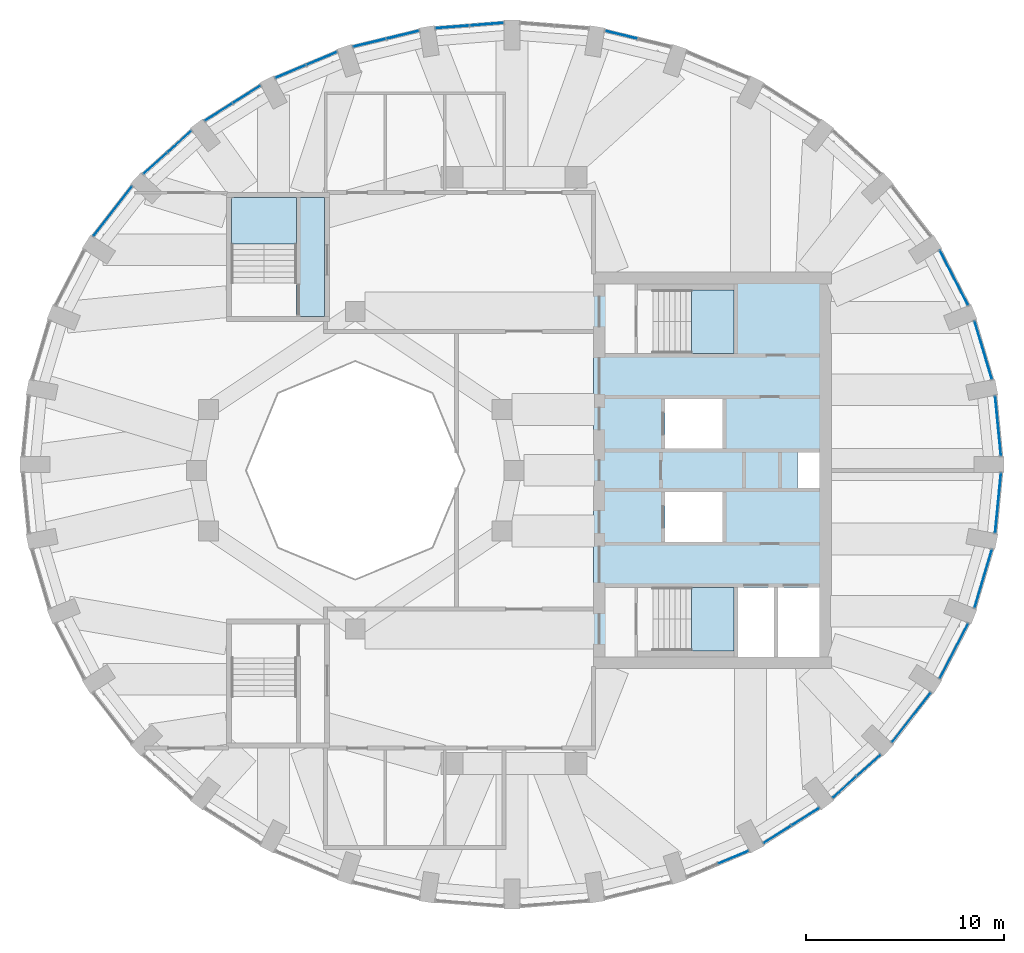
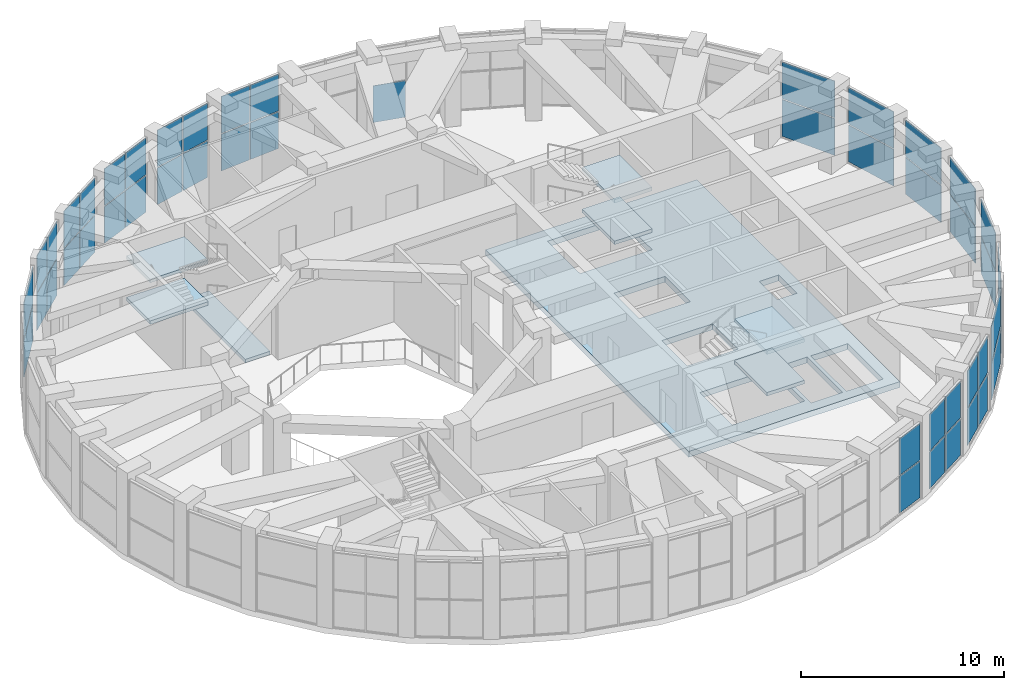
# One storey, part 11 of 16: 47 plates, 8 slabs, 20 elements without a shape of their own.
"""IFC4 building model written with IfcOpenShell, lengths in metres."""

import ifcopenshell
import ifcopenshell.guid

model = None  # the IFC model being written
_history = None  # IfcOwnerHistory: only IFC2X3 demands one
_inside = {}  # id of a spatial element -> (the spatial element, [elements in it])
_under = {}  # id of a project, library or spatial element -> (it, [spatial elements below it])
_declared = {}  # id of a project -> (the project, [libraries it declares])
_typed = {}  # id of a type object -> (the type object, [elements of that type])
_made_of = {}  # id of a material, layer set ... -> (it, [elements and type objects made of it])


def new_model(schema):
    """Start an empty IFC model of exactly this schema.

    Asked for "IFC4X3", IfcOpenShell would pick the latest addendum, in which some entities
    have other attributes; the version numbers below select the first issue.
    IFC2X3 requires an IfcOwnerHistory on every rooted entity: one is made here for all.
    """
    global model, _history
    if schema == "IFC4X3":
        model = ifcopenshell.file(schema_version=(4, 3, 0, 0))
    else:
        model = ifcopenshell.file(schema=schema)
    _inside.clear()
    _under.clear()
    _declared.clear()
    _typed.clear()
    _made_of.clear()
    _history = None
    if model.schema == "IFC2X3":
        org = make("IfcOrganization", Name="unknown")
        user = make(
            "IfcPersonAndOrganization",
            ThePerson=make("IfcPerson", FamilyName="unknown"),
            TheOrganization=org,
        )
        app = make(
            "IfcApplication",
            ApplicationDeveloper=org,
            Version="unknown",
            ApplicationFullName="unknown",
            ApplicationIdentifier="unknown",
        )
        _history = make(
            "IfcOwnerHistory",
            OwningUser=user,
            OwningApplication=app,
            ChangeAction="ADDED",
            CreationDate=0,
        )
    return model


def make(cls, **values):
    """One entity of the class cls with the attributes given. An attribute that is None is left unset."""
    return model.create_entity(
        cls, **{name: value for name, value in values.items() if value is not None}
    )


def rooted(cls, **values):
    """An entity with a GlobalId (a new one), such as an element, a storey or a relation."""
    return make(cls, GlobalId=ifcopenshell.guid.new(), OwnerHistory=_history, **values)


def si_unit(unit_type, name, prefix=None):
    """IfcSIUnit, for example si_unit("LENGTHUNIT", "METRE", prefix="MILLI")."""
    return make("IfcSIUnit", UnitType=unit_type, Prefix=prefix, Name=name)


def assignment(units):
    """IfcUnitAssignment: the units of a project."""
    return None if units is None else make("IfcUnitAssignment", Units=units)


def point(xyz):
    """IfcCartesianPoint."""
    return None if xyz is None else make("IfcCartesianPoint", Coordinates=xyz)


def direction(xyz):
    """IfcDirection."""
    return None if xyz is None else make("IfcDirection", DirectionRatios=xyz)


def frame(location, z_axis=None, x_axis=None):
    """IfcAxis2Placement3D, a coordinate frame: its origin and axes. An axis left out is left unset."""
    return make(
        "IfcAxis2Placement3D",
        Location=point(location),
        Axis=direction(z_axis),
        RefDirection=direction(x_axis),
    )


def frame_2d(location, x_axis=None):
    """IfcAxis2Placement2D, a coordinate frame in the plane: its origin and x axis."""
    return make(
        "IfcAxis2Placement2D", Location=point(location), RefDirection=direction(x_axis)
    )


def origin():
    """The frame at (0, 0, 0) with its axes left unset."""
    return frame((0.0, 0.0, 0.0))


def origin_2d():
    """The frame at (0, 0) in the plane with its x axis left unset."""
    return frame_2d((0.0, 0.0))


def place(relative_to, where):
    """IfcLocalPlacement: puts the frame where relative to a parent placement (None: the world)."""
    return make(
        "IfcLocalPlacement", PlacementRelTo=relative_to, RelativePlacement=where
    )


def context(
    kind, dimensions, precision=None, world=None, true_north=None, identifier=None
):
    """IfcGeometricRepresentationContext, for example the 3D "Model" context."""
    return make(
        "IfcGeometricRepresentationContext",
        ContextIdentifier=identifier,
        ContextType=kind,
        CoordinateSpaceDimension=dimensions,
        Precision=precision,
        WorldCoordinateSystem=world,
        TrueNorth=true_north,
    )


def subcontext(parent, identifier, kind, view, scale=None):
    """IfcGeometricRepresentationSubContext, for example "Body" below "Model"."""
    return make(
        "IfcGeometricRepresentationSubContext",
        ContextIdentifier=identifier,
        ContextType=kind,
        ParentContext=parent,
        TargetScale=scale,
        TargetView=view,
    )


def project(units=None, contexts=None):
    """IfcProject with its units and contexts."""
    return rooted(
        "IfcProject",
        Name="project",
        RepresentationContexts=contexts,
        UnitsInContext=assignment(units),
    )


def spatial(cls, under=None, at=None, **own):
    """A site, building, storey or space (cls), placed at a placement, below another one or the project."""
    s = rooted(cls, ObjectPlacement=at, **own)
    if under is not None:
        _under.setdefault(under.id(), (under, []))[1].append(s)
    return s


def polyline(points):
    """IfcPolyline through the points."""
    return make("IfcPolyline", Points=[point(p) for p in points])


def profile(cls, at=None, kind="AREA", **sizes):
    """A parametric profile (cls). Its sizes go by their IFC names, for example OverallWidth=200.0."""
    return make(cls, ProfileType=kind, Position=at, **sizes)


def rectangle(**sizes):
    """IfcRectangleProfileDef."""
    return profile("IfcRectangleProfileDef", **sizes)


def outline(outer, holes=None, kind="AREA"):
    """IfcArbitraryClosedProfileDef: a profile drawn as a closed curve; with holes, ...WithVoids."""
    if holes is None:
        return make("IfcArbitraryClosedProfileDef", ProfileType=kind, OuterCurve=outer)
    return make(
        "IfcArbitraryProfileDefWithVoids",
        ProfileType=kind,
        OuterCurve=outer,
        InnerCurves=holes,
    )


def extrude(swept, where, along, depth):
    """IfcExtrudedAreaSolid: the profile swept, set in the frame where, extruded along a direction by depth."""
    return make(
        "IfcExtrudedAreaSolid",
        SweptArea=swept,
        Position=where,
        ExtrudedDirection=direction(along),
        Depth=depth,
    )


def shape(context_of_items, identifier, shape_type, items):
    """IfcShapeRepresentation: the items that make up one representation, for example the "Body"."""
    return make(
        "IfcShapeRepresentation",
        ContextOfItems=context_of_items,
        RepresentationIdentifier=identifier,
        RepresentationType=shape_type,
        Items=items,
    )


def material(Name=None, Category=None):
    """IfcMaterial."""
    return make("IfcMaterial", Name=Name, Category=Category)


def layer(
    of_material, thickness, ventilated=None, Name=None, Category=None, Priority=None
):
    """IfcMaterialLayer: one layer of a wall or slab, of a material (None: an air gap)."""
    return make(
        "IfcMaterialLayer",
        Material=of_material,
        LayerThickness=thickness,
        IsVentilated=ventilated,
        Name=Name,
        Category=Category,
        Priority=Priority,
    )


def layer_set(layers, Name=None):
    """IfcMaterialLayerSet."""
    return make("IfcMaterialLayerSet", MaterialLayers=layers, LayerSetName=Name)


def made_of(thing, what):
    """Note that an element or type object is made of a material, layer set ...; save() writes the relation."""
    if what is not None:
        _made_of.setdefault(what.id(), (what, []))[1].append(thing)
    return thing


def type_object(cls, material=None, **own):
    """A type object (cls), such as IfcWallType, which elements share."""
    return made_of(rooted(cls, **own), material)


def element(
    cls,
    number,
    at=None,
    inside=None,
    cuts=None,
    type_object=None,
    material=None,
    context=None,
    identifier="Body",
    shape_type=None,
    held_by="IfcProductDefinitionShape",
    body=None,
    shapes=None,
    **own,
):
    """One element of the class cls, such as IfcWall. Its Tag is "e" and its number.

    at: its placement. inside: the storey or other place that contains it. cuts: it is an
    opening in that element (IfcRelVoidsElement). A single representation is given by context,
    identifier, shape_type and body (its items); several are given by shapes. held_by: the class
    of the entity that holds the representations. save() writes the other relations.
    """
    e = rooted(cls, Tag="e%d" % number, ObjectPlacement=at, **own)
    if body is not None:
        shapes = [shape(context, identifier, shape_type, body)]
    if shapes is not None:
        e.Representation = make(held_by, Representations=shapes)
    if inside is not None:
        _inside.setdefault(inside.id(), (inside, []))[1].append(e)
    if cuts is not None:
        rooted(
            "IfcRelVoidsElement", RelatingBuildingElement=cuts, RelatedOpeningElement=e
        )
    if type_object is not None:
        _typed.setdefault(type_object.id(), (type_object, []))[1].append(e)
    return made_of(e, material)


def aggregate(whole, parts):
    """IfcRelAggregates: a whole, such as a stair, and the parts it consists of."""
    return rooted("IfcRelAggregates", RelatingObject=whole, RelatedObjects=parts)


def save(model, path):
    """Write the relations noted so far, then the file.

    IfcRelAggregates (storeys below a building ...), IfcRelContainedInSpatialStructure (elements
    in a storey), IfcRelDefinesByType, IfcRelAssociatesMaterial and IfcRelDeclares: one each for
    every whole, place, type object, material and project.
    """
    for whole, parts in _under.values():
        aggregate(whole, parts)
    for where, things in _inside.values():
        rooted(
            "IfcRelContainedInSpatialStructure",
            RelatedElements=things,
            RelatingStructure=where,
        )
    for kind, things in _typed.values():
        rooted("IfcRelDefinesByType", RelatedObjects=things, RelatingType=kind)
    for what, things in _made_of.values():
        rooted("IfcRelAssociatesMaterial", RelatedObjects=things, RelatingMaterial=what)
    for by, libraries in _declared.values():
        rooted("IfcRelDeclares", RelatingContext=by, RelatedDefinitions=libraries)
    model.write(path)


model = new_model("IFC4")

# Units and contexts
model_context = context("Model", 3, precision=1e-05, world=origin(), true_north=direction((0.0, 1.0)))
body_context = subcontext(model_context, "Body", "Model", "MODEL_VIEW")
ifc_project = project(units=[si_unit("LENGTHUNIT", "METRE"), si_unit("AREAUNIT", "SQUARE_METRE"), si_unit("VOLUMEUNIT", "CUBIC_METRE"), si_unit("PLANEANGLEUNIT", "RADIAN"), si_unit("MASSUNIT", "GRAM", prefix="KILO")], contexts=[model_context])

# Site, building, storey
site_placement = place(None, origin())
site = spatial("IfcSite", under=ifc_project, at=site_placement, CompositionType="ELEMENT")
building_placement = place(site_placement, origin())
building = spatial("IfcBuilding", under=site, at=building_placement, Name="Taillehof Tower", CompositionType="ELEMENT")
storey_placement = place(building_placement, frame((0.0, 0.0, 264.199951171875)))
storey = spatial("IfcBuildingStorey", under=building, at=storey_placement, Name="L75", CompositionType="ELEMENT", Elevation=264.199951171875)

# Slab
ifc_material_1 = material(Name="Concrete C40/50", Category="concrete")
ifc_layer_1 = layer(ifc_material_1, 0.35009765625)
ifc_layer_set_1 = layer_set([ifc_layer_1], Name="Core floor slab C40/50 350")
slab_type_1 = type_object("IfcSlabType", Name="Core floor slab C40/50 350", PredefinedType="FLOOR", material=ifc_layer_set_1)
slab_1_placement = place(storey_placement, frame((0.0, 0.0, -0.349853515625)))
element("IfcSlab", 1, at=slab_1_placement, inside=storey, type_object=slab_type_1, Name="Core floor L75", PredefinedType="FLOOR", context=body_context, shape_type="SweptSolid", body=[
    extrude(outline(polyline([(4.0, -10.0), (4.0, 10.0), (16.0, 10.0), (16.0, -10.0), (4.0, -10.0)]), holes=[polyline([(11.300048828125, -5.89990234375), (11.300048828125, -9.39990234375), (13.10009765625, -9.39990234375), (13.10009765625, -5.89990234375), (11.300048828125, -5.89990234375)]), polyline([(15.39990234375, -5.89990234375), (13.300048828125, -5.89990234375), (13.300048828125, -9.39990234375), (15.39990234375, -9.39990234375), (15.39990234375, -5.89990234375)]), polyline([(11.10009765625, -9.10009765625), (11.10009765625, -5.89990234375), (7.00048828125, -5.89990234375), (7.00048828125, -9.10009765625), (11.10009765625, -9.10009765625)]), polyline([(10.5, -1.10009765625), (7.60009765625, -1.10009765625), (7.60009765625, -3.60009765625), (10.5, -3.60009765625), (10.5, -1.10009765625)]), polyline([(15.39990234375, 0.89990234375), (14.300048828125, 0.89990234375), (14.300048828125, -0.89990234375), (15.39990234375, -0.89990234375), (15.39990234375, 0.89990234375)]), polyline([(10.5, 3.60009765625), (7.60009765625, 3.60009765625), (7.60009765625, 1.10009765625), (10.5, 1.10009765625), (10.5, 3.60009765625)]), polyline([(11.10009765625, 9.10009765625), (7.00048828125, 9.10009765625), (7.00048828125, 5.89990234375), (11.10009765625, 5.89990234375), (11.10009765625, 9.10009765625)])]), origin(), (0.0, 0.0, 1.0), 0.349853515625),
])

# Curtain wall, plates
ifc_material_2 = material(Name="Aluminium curtain wall with Clear laminated safety glass", Category="aluminium")
curtain_wall_type = type_object("IfcCurtainWallType", Name="Sky restaurant curtain wall", PredefinedType="USERDEFINED", material=ifc_material_2)
curtain_wall_1_placement = place(storey_placement, origin())
curtain_wall_1 = element("IfcCurtainWall", 2, at=curtain_wall_1_placement, inside=storey, type_object=curtain_wall_type, Name="Sky restaurant L75 bay 1", ObjectType="WINDOW WALL", PredefinedType="USERDEFINED")
ifc_material_3 = material(Name="Clear laminated safety glass", Category="glass")
ifc_layer_2 = layer(ifc_material_3, 0.031982421875)
ifc_layer_set_2 = layer_set([ifc_layer_2], Name="Sky restaurant glass panel 32")
plate_type = type_object("IfcPlateType", Name="Sky restaurant glass panel 32", PredefinedType="CURTAIN_PANEL", material=ifc_layer_set_2)
plate_1_placement = place(storey_placement, frame((24.40087890625, 2.240966796875, 0.06005859375), z_axis=(0.0, 0.0, 1.0), x_axis=(-0.0967136211, 0.995312250248, 0.0)))
plate_1 = element("IfcPlate", 3, at=plate_1_placement, type_object=plate_type, Name="CT5E01 panel 1.1", PredefinedType="CURTAIN_PANEL", context=body_context, shape_type="SweptSolid", body=[
    extrude(rectangle(XDim=3.0166015625, YDim=0.031982421875, at=origin_2d()), origin(), (0.0, 0.0, 1.0), 2.205078125),
])
plate_2_placement = place(storey_placement, frame((24.40087890625, 2.240966796875, 2.324951171875), z_axis=(0.0, 0.0, 1.0), x_axis=(-0.0967136211, 0.995312250248, 0.0)))
plate_2 = element("IfcPlate", 4, at=plate_2_placement, type_object=plate_type, Name="CT5E01 panel 1.2", PredefinedType="CURTAIN_PANEL", context=body_context, shape_type="SweptSolid", body=[
    extrude(rectangle(XDim=3.0166015625, YDim=0.031982421875, at=origin_2d()), origin(), (0.0, 0.0, 1.0), 2.205078125),
])
aggregate(curtain_wall_1, [plate_1, plate_2])

curtain_wall_2_placement = place(storey_placement, origin())
curtain_wall_2 = element("IfcCurtainWall", 5, at=curtain_wall_2_placement, inside=storey, type_object=curtain_wall_type, Name="Sky restaurant L75 bay 2", ObjectType="WINDOW WALL", PredefinedType="USERDEFINED")
plate_3_placement = place(storey_placement, frame((23.652587890625, 6.06298828125, 0.06005859375), z_axis=(0.0, 0.0, 1.0), x_axis=(-0.285235558707, 0.958457446134, 0.0)))
plate_3 = element("IfcPlate", 6, at=plate_3_placement, type_object=plate_type, Name="CT5E02 panel 1.1", PredefinedType="CURTAIN_PANEL", context=body_context, shape_type="SweptSolid", body=[
    extrude(rectangle(XDim=3.041259765625, YDim=0.031982421875, at=origin_2d()), origin(), (0.0, 0.0, 1.0), 2.205078125),
])
plate_4_placement = place(storey_placement, frame((23.652587890625, 6.06298828125, 2.324951171875), z_axis=(0.0, 0.0, 1.0), x_axis=(-0.285235558707, 0.958457446134, 0.0)))
plate_4 = element("IfcPlate", 7, at=plate_4_placement, type_object=plate_type, Name="CT5E02 panel 1.2", PredefinedType="CURTAIN_PANEL", context=body_context, shape_type="SweptSolid", body=[
    extrude(rectangle(XDim=3.041259765625, YDim=0.031982421875, at=origin_2d()), origin(), (0.0, 0.0, 1.0), 2.205078125),
])
aggregate(curtain_wall_2, [plate_3, plate_4])

curtain_wall_3_placement = place(storey_placement, origin())
curtain_wall_3 = element("IfcCurtainWall", 8, at=curtain_wall_3_placement, inside=storey, type_object=curtain_wall_type, Name="Sky restaurant L75 bay 3", ObjectType="WINDOW WALL", PredefinedType="USERDEFINED")
plate_5_placement = place(storey_placement, frame((22.1796875, 9.706787109375, 0.06005859375), z_axis=(0.0, 0.0, 1.0), x_axis=(-0.459891218474, 0.887975262702, 0.0)))
plate_5 = element("IfcPlate", 9, at=plate_5_placement, type_object=plate_type, Name="CT5E03 panel 1.1", PredefinedType="CURTAIN_PANEL", context=body_context, shape_type="SweptSolid", body=[
    extrude(rectangle(XDim=3.0869140625, YDim=0.031982421875, at=origin_2d()), origin(), (0.0, 0.0, 1.0), 2.205078125),
])
plate_6_placement = place(storey_placement, frame((22.1796875, 9.706787109375, 2.324951171875), z_axis=(0.0, 0.0, 1.0), x_axis=(-0.459891218474, 0.887975262702, 0.0)))
plate_6 = element("IfcPlate", 10, at=plate_6_placement, type_object=plate_type, Name="CT5E03 panel 1.2", PredefinedType="CURTAIN_PANEL", context=body_context, shape_type="SweptSolid", body=[
    extrude(rectangle(XDim=3.0869140625, YDim=0.031982421875, at=origin_2d()), origin(), (0.0, 0.0, 1.0), 2.205078125),
])
aggregate(curtain_wall_3, [plate_5, plate_6])

# Curtain wall, plate
curtain_wall_4_placement = place(storey_placement, origin())
curtain_wall_4 = element("IfcCurtainWall", 11, at=curtain_wall_4_placement, inside=storey, type_object=curtain_wall_type, Name="Sky restaurant L75 bay 8", ObjectType="WINDOW WALL", PredefinedType="USERDEFINED")
plate_7_placement = place(storey_placement, frame((5.413818359375, 21.954345703125, 0.06005859375), z_axis=(0.0, 0.0, 1.0), x_axis=(-0.972112616855, 0.234514520129, 0.0)))
plate_7 = element("IfcPlate", 12, at=plate_7_placement, type_object=plate_type, Name="CT5E08 panel 2.1", PredefinedType="CURTAIN_PANEL", context=body_context, shape_type="SweptSolid", body=[
    extrude(rectangle(XDim=1.66259765625, YDim=0.031982421875, at=origin_2d()), origin(), (0.0, 0.0, 1.0), 2.205078125),
])
aggregate(curtain_wall_4, [plate_7])

# Curtain wall, plates
curtain_wall_5_placement = place(storey_placement, origin())
curtain_wall_5 = element("IfcCurtainWall", 13, at=curtain_wall_5_placement, inside=storey, type_object=curtain_wall_type, Name="Sky restaurant L75 bay 10", ObjectType="WINDOW WALL", PredefinedType="USERDEFINED")
plate_8_placement = place(storey_placement, frame((-1.374267578125, 22.4892578125, 0.06005859375), z_axis=(0.0, 0.0, 1.0), x_axis=(-0.996912140109, -0.078525059075, 0.0)))
plate_8 = element("IfcPlate", 14, at=plate_8_placement, type_object=plate_type, Name="CT5E10 panel 1.1", PredefinedType="CURTAIN_PANEL", context=body_context, shape_type="SweptSolid", body=[
    extrude(rectangle(XDim=1.673828125, YDim=0.031982421875, at=origin_2d()), origin(), (0.0, 0.0, 1.0), 2.205078125),
])
plate_9_placement = place(storey_placement, frame((-1.374267578125, 22.4892578125, 2.324951171875), z_axis=(0.0, 0.0, 1.0), x_axis=(-0.996912140109, -0.078525059075, 0.0)))
plate_9 = element("IfcPlate", 15, at=plate_9_placement, type_object=plate_type, Name="CT5E10 panel 1.2", PredefinedType="CURTAIN_PANEL", context=body_context, shape_type="SweptSolid", body=[
    extrude(rectangle(XDim=1.673828125, YDim=0.031982421875, at=origin_2d()), origin(), (0.0, 0.0, 1.0), 2.205078125),
])
plate_10_placement = place(storey_placement, frame((-3.1025390625, 22.35302734375, 0.06005859375), z_axis=(0.0, 0.0, 1.0), x_axis=(-0.996912140109, -0.078525059075, 0.0)))
plate_10 = element("IfcPlate", 16, at=plate_10_placement, type_object=plate_type, Name="CT5E10 panel 2.1", PredefinedType="CURTAIN_PANEL", context=body_context, shape_type="SweptSolid", body=[
    extrude(rectangle(XDim=1.673828125, YDim=0.031982421875, at=origin_2d()), origin(), (0.0, 0.0, 1.0), 2.205078125),
])
plate_11_placement = place(storey_placement, frame((-3.1025390625, 22.35302734375, 2.324951171875), z_axis=(0.0, 0.0, 1.0), x_axis=(-0.996912140109, -0.078525059075, 0.0)))
plate_11 = element("IfcPlate", 17, at=plate_11_placement, type_object=plate_type, Name="CT5E10 panel 2.2", PredefinedType="CURTAIN_PANEL", context=body_context, shape_type="SweptSolid", body=[
    extrude(rectangle(XDim=1.673828125, YDim=0.031982421875, at=origin_2d()), origin(), (0.0, 0.0, 1.0), 2.205078125),
])
aggregate(curtain_wall_5, [plate_8, plate_9, plate_10, plate_11])

curtain_wall_6_placement = place(storey_placement, origin())
curtain_wall_6 = element("IfcCurtainWall", 18, at=curtain_wall_6_placement, inside=storey, type_object=curtain_wall_type, Name="Sky restaurant L75 bay 11", ObjectType="WINDOW WALL", PredefinedType="USERDEFINED")
plate_12_placement = place(storey_placement, frame((-5.61376953125, 21.954345703125, 0.06005859375), z_axis=(0.0, 0.0, 1.0), x_axis=(-0.972112616855, -0.234514520129, 0.0)))
plate_12 = element("IfcPlate", 19, at=plate_12_placement, type_object=plate_type, Name="CT5E11 panel 1.1", PredefinedType="CURTAIN_PANEL", context=body_context, shape_type="SweptSolid", body=[
    extrude(rectangle(XDim=1.66259765625, YDim=0.031982421875, at=origin_2d()), origin(), (0.0, 0.0, 1.0), 2.205078125),
])
plate_13_placement = place(storey_placement, frame((-5.61376953125, 21.954345703125, 2.324951171875), z_axis=(0.0, 0.0, 1.0), x_axis=(-0.972112616855, -0.234514520129, 0.0)))
plate_13 = element("IfcPlate", 20, at=plate_13_placement, type_object=plate_type, Name="CT5E11 panel 1.2", PredefinedType="CURTAIN_PANEL", context=body_context, shape_type="SweptSolid", body=[
    extrude(rectangle(XDim=1.66259765625, YDim=0.031982421875, at=origin_2d()), origin(), (0.0, 0.0, 1.0), 2.205078125),
])
plate_14_placement = place(storey_placement, frame((-7.288330078125, 21.550537109375, 0.06005859375), z_axis=(0.0, 0.0, 1.0), x_axis=(-0.972112616855, -0.234514520129, 0.0)))
plate_14 = element("IfcPlate", 21, at=plate_14_placement, type_object=plate_type, Name="CT5E11 panel 2.1", PredefinedType="CURTAIN_PANEL", context=body_context, shape_type="SweptSolid", body=[
    extrude(rectangle(XDim=1.66259765625, YDim=0.031982421875, at=origin_2d()), origin(), (0.0, 0.0, 1.0), 2.205078125),
])
plate_15_placement = place(storey_placement, frame((-7.288330078125, 21.550537109375, 2.324951171875), z_axis=(0.0, 0.0, 1.0), x_axis=(-0.972112616855, -0.234514520129, 0.0)))
plate_15 = element("IfcPlate", 22, at=plate_15_placement, type_object=plate_type, Name="CT5E11 panel 2.2", PredefinedType="CURTAIN_PANEL", context=body_context, shape_type="SweptSolid", body=[
    extrude(rectangle(XDim=1.66259765625, YDim=0.031982421875, at=origin_2d()), origin(), (0.0, 0.0, 1.0), 2.205078125),
])
aggregate(curtain_wall_6, [plate_12, plate_13, plate_14, plate_15])

curtain_wall_7_placement = place(storey_placement, origin())
curtain_wall_7 = element("IfcCurtainWall", 23, at=curtain_wall_7_placement, inside=storey, type_object=curtain_wall_type, Name="Sky restaurant L75 bay 12", ObjectType="WINDOW WALL", PredefinedType="USERDEFINED")
plate_16_placement = place(storey_placement, frame((-9.688720703125, 20.763671875, 0.06005859375), z_axis=(0.0, 0.0, 1.0), x_axis=(-0.922037438233, -0.387100713636, 0.0)))
plate_16 = element("IfcPlate", 24, at=plate_16_placement, type_object=plate_type, Name="CT5E12 panel 1.1", PredefinedType="CURTAIN_PANEL", context=body_context, shape_type="SweptSolid", body=[
    extrude(rectangle(XDim=1.64111328125, YDim=0.031982421875, at=origin_2d()), origin(), (0.0, 0.0, 1.0), 2.205078125),
])
plate_17_placement = place(storey_placement, frame((-9.688720703125, 20.763671875, 2.324951171875), z_axis=(0.0, 0.0, 1.0), x_axis=(-0.922037438233, -0.387100713636, 0.0)))
plate_17 = element("IfcPlate", 25, at=plate_17_placement, type_object=plate_type, Name="CT5E12 panel 1.2", PredefinedType="CURTAIN_PANEL", context=body_context, shape_type="SweptSolid", body=[
    extrude(rectangle(XDim=1.64111328125, YDim=0.031982421875, at=origin_2d()), origin(), (0.0, 0.0, 1.0), 2.205078125),
])
plate_18_placement = place(storey_placement, frame((-11.25732421875, 20.10498046875, 0.06005859375), z_axis=(0.0, 0.0, 1.0), x_axis=(-0.922037438233, -0.387100713636, 0.0)))
plate_18 = element("IfcPlate", 26, at=plate_18_placement, type_object=plate_type, Name="CT5E12 panel 2.1", PredefinedType="CURTAIN_PANEL", context=body_context, shape_type="SweptSolid", body=[
    extrude(rectangle(XDim=1.64111328125, YDim=0.031982421875, at=origin_2d()), origin(), (0.0, 0.0, 1.0), 2.205078125),
])
plate_19_placement = place(storey_placement, frame((-11.25732421875, 20.10498046875, 2.324951171875), z_axis=(0.0, 0.0, 1.0), x_axis=(-0.922037438233, -0.387100713636, 0.0)))
plate_19 = element("IfcPlate", 27, at=plate_19_placement, type_object=plate_type, Name="CT5E12 panel 2.2", PredefinedType="CURTAIN_PANEL", context=body_context, shape_type="SweptSolid", body=[
    extrude(rectangle(XDim=1.64111328125, YDim=0.031982421875, at=origin_2d()), origin(), (0.0, 0.0, 1.0), 2.205078125),
])
aggregate(curtain_wall_7, [plate_16, plate_17, plate_18, plate_19])

curtain_wall_8_placement = place(storey_placement, origin())
curtain_wall_8 = element("IfcCurtainWall", 28, at=curtain_wall_8_placement, inside=storey, type_object=curtain_wall_type, Name="Sky restaurant L75 bay 13", ObjectType="WINDOW WALL", PredefinedType="USERDEFINED")
plate_20_placement = place(storey_placement, frame((-13.475830078125, 18.951416015625, 0.06005859375), z_axis=(0.0, 0.0, 1.0), x_axis=(-0.845929695916, -0.533294430468, 0.0)))
plate_20 = element("IfcPlate", 29, at=plate_20_placement, type_object=plate_type, Name="CT5E13 panel 1.1", PredefinedType="CURTAIN_PANEL", context=body_context, shape_type="SweptSolid", body=[
    extrude(rectangle(XDim=1.61181640625, YDim=0.031982421875, at=origin_2d()), origin(), (0.0, 0.0, 1.0), 2.205078125),
])
plate_21_placement = place(storey_placement, frame((-13.475830078125, 18.951416015625, 2.324951171875), z_axis=(0.0, 0.0, 1.0), x_axis=(-0.845929695916, -0.533294430468, 0.0)))
plate_21 = element("IfcPlate", 30, at=plate_21_placement, type_object=plate_type, Name="CT5E13 panel 1.2", PredefinedType="CURTAIN_PANEL", context=body_context, shape_type="SweptSolid", body=[
    extrude(rectangle(XDim=1.61181640625, YDim=0.031982421875, at=origin_2d()), origin(), (0.0, 0.0, 1.0), 2.205078125),
])
plate_22_placement = place(storey_placement, frame((-14.89013671875, 18.059814453125, 0.06005859375), z_axis=(0.0, 0.0, 1.0), x_axis=(-0.845929695916, -0.533294430468, 0.0)))
plate_22 = element("IfcPlate", 31, at=plate_22_placement, type_object=plate_type, Name="CT5E13 panel 2.1", PredefinedType="CURTAIN_PANEL", context=body_context, shape_type="SweptSolid", body=[
    extrude(rectangle(XDim=1.61181640625, YDim=0.031982421875, at=origin_2d()), origin(), (0.0, 0.0, 1.0), 2.205078125),
])
plate_23_placement = place(storey_placement, frame((-14.89013671875, 18.059814453125, 2.324951171875), z_axis=(0.0, 0.0, 1.0), x_axis=(-0.845929695916, -0.533294430468, 0.0)))
plate_23 = element("IfcPlate", 32, at=plate_23_placement, type_object=plate_type, Name="CT5E13 panel 2.2", PredefinedType="CURTAIN_PANEL", context=body_context, shape_type="SweptSolid", body=[
    extrude(rectangle(XDim=1.61181640625, YDim=0.031982421875, at=origin_2d()), origin(), (0.0, 0.0, 1.0), 2.205078125),
])
aggregate(curtain_wall_8, [plate_20, plate_21, plate_22, plate_23])

curtain_wall_9_placement = place(storey_placement, origin())
curtain_wall_9 = element("IfcCurtainWall", 33, at=curtain_wall_9_placement, inside=storey, type_object=curtain_wall_type, Name="Sky restaurant L75 bay 14", ObjectType="WINDOW WALL", PredefinedType="USERDEFINED")
plate_24_placement = place(storey_placement, frame((-16.85986328125, 16.5712890625, 0.06005859375), z_axis=(0.0, 0.0, 1.0), x_axis=(-0.74316593792, -0.669107157872, 0.0)))
plate_24 = element("IfcPlate", 34, at=plate_24_placement, type_object=plate_type, Name="CT5E14 panel 1.1", PredefinedType="CURTAIN_PANEL", context=body_context, shape_type="SweptSolid", body=[
    extrude(rectangle(XDim=1.578125, YDim=0.031982421875, at=origin_2d()), origin(), (0.0, 0.0, 1.0), 2.205078125),
])
plate_25_placement = place(storey_placement, frame((-16.85986328125, 16.5712890625, 2.324951171875), z_axis=(0.0, 0.0, 1.0), x_axis=(-0.74316593792, -0.669107157872, 0.0)))
plate_25 = element("IfcPlate", 35, at=plate_25_placement, type_object=plate_type, Name="CT5E14 panel 1.2", PredefinedType="CURTAIN_PANEL", context=body_context, shape_type="SweptSolid", body=[
    extrude(rectangle(XDim=1.578125, YDim=0.031982421875, at=origin_2d()), origin(), (0.0, 0.0, 1.0), 2.205078125),
])
plate_26_placement = place(storey_placement, frame((-18.077392578125, 15.47509765625, 0.06005859375), z_axis=(0.0, 0.0, 1.0), x_axis=(-0.74316593792, -0.669107157872, 0.0)))
plate_26 = element("IfcPlate", 36, at=plate_26_placement, type_object=plate_type, Name="CT5E14 panel 2.1", PredefinedType="CURTAIN_PANEL", context=body_context, shape_type="SweptSolid", body=[
    extrude(rectangle(XDim=1.578125, YDim=0.031982421875, at=origin_2d()), origin(), (0.0, 0.0, 1.0), 2.205078125),
])
plate_27_placement = place(storey_placement, frame((-18.077392578125, 15.47509765625, 2.324951171875), z_axis=(0.0, 0.0, 1.0), x_axis=(-0.74316593792, -0.669107157872, 0.0)))
plate_27 = element("IfcPlate", 37, at=plate_27_placement, type_object=plate_type, Name="CT5E14 panel 2.2", PredefinedType="CURTAIN_PANEL", context=body_context, shape_type="SweptSolid", body=[
    extrude(rectangle(XDim=1.578125, YDim=0.031982421875, at=origin_2d()), origin(), (0.0, 0.0, 1.0), 2.205078125),
])
aggregate(curtain_wall_9, [plate_24, plate_25, plate_26, plate_27])

curtain_wall_10_placement = place(storey_placement, origin())
curtain_wall_10 = element("IfcCurtainWall", 38, at=curtain_wall_10_placement, inside=storey, type_object=curtain_wall_type, Name="Sky restaurant L75 bay 15", ObjectType="WINDOW WALL", PredefinedType="USERDEFINED")
plate_28_placement = place(storey_placement, frame((-20.229248046875, 13.060546875, 0.06005859375), z_axis=(0.0, 0.0, 1.0), x_axis=(-0.613902818005, -0.789381612432, 0.0)))
plate_28 = element("IfcPlate", 39, at=plate_28_placement, type_object=plate_type, Name="CT5E15 panel 1.1", PredefinedType="CURTAIN_PANEL", context=body_context, shape_type="SweptSolid", body=[
    extrude(rectangle(XDim=3.14794921875, YDim=0.031982421875, at=origin_2d()), origin(), (0.0, 0.0, 1.0), 2.205078125),
])
plate_29_placement = place(storey_placement, frame((-20.229248046875, 13.060546875, 2.324951171875), z_axis=(0.0, 0.0, 1.0), x_axis=(-0.613902818005, -0.789381612432, 0.0)))
plate_29 = element("IfcPlate", 40, at=plate_29_placement, type_object=plate_type, Name="CT5E15 panel 1.2", PredefinedType="CURTAIN_PANEL", context=body_context, shape_type="SweptSolid", body=[
    extrude(rectangle(XDim=3.14794921875, YDim=0.031982421875, at=origin_2d()), origin(), (0.0, 0.0, 1.0), 2.205078125),
])
aggregate(curtain_wall_10, [plate_28, plate_29])

curtain_wall_11_placement = place(storey_placement, origin())
curtain_wall_11 = element("IfcCurtainWall", 41, at=curtain_wall_11_placement, inside=storey, type_object=curtain_wall_type, Name="Sky restaurant L75 bay 30", ObjectType="WINDOW WALL", PredefinedType="USERDEFINED")
plate_30_placement = place(storey_placement, frame((11.05712890625, -19.505126953125, 0.06005859375), z_axis=(0.0, 0.0, 1.0), x_axis=(0.922037438233, 0.387100713636, 0.0)))
plate_30 = element("IfcPlate", 42, at=plate_30_placement, type_object=plate_type, Name="CT5E30 panel 2.1", PredefinedType="CURTAIN_PANEL", context=body_context, shape_type="SweptSolid", body=[
    extrude(rectangle(XDim=1.64111328125, YDim=0.031982421875, at=origin_2d()), origin(), (0.0, 0.0, 1.0), 2.205078125),
])
plate_31_placement = place(storey_placement, frame((11.05712890625, -19.505126953125, 2.324951171875), z_axis=(0.0, 0.0, 1.0), x_axis=(0.922037438233, 0.387100713636, 0.0)))
plate_31 = element("IfcPlate", 43, at=plate_31_placement, type_object=plate_type, Name="CT5E30 panel 2.2", PredefinedType="CURTAIN_PANEL", context=body_context, shape_type="SweptSolid", body=[
    extrude(rectangle(XDim=1.64111328125, YDim=0.031982421875, at=origin_2d()), origin(), (0.0, 0.0, 1.0), 2.205078125),
])
aggregate(curtain_wall_11, [plate_30, plate_31])

curtain_wall_12_placement = place(storey_placement, origin())
curtain_wall_12 = element("IfcCurtainWall", 44, at=curtain_wall_12_placement, inside=storey, type_object=curtain_wall_type, Name="Sky restaurant L75 bay 31", ObjectType="WINDOW WALL", PredefinedType="USERDEFINED")
plate_32_placement = place(storey_placement, frame((13.27587890625, -18.351318359375, 0.06005859375), z_axis=(0.0, 0.0, 1.0), x_axis=(0.845929695916, 0.533294430468, 0.0)))
plate_32 = element("IfcPlate", 45, at=plate_32_placement, type_object=plate_type, Name="CT5E31 panel 1.1", PredefinedType="CURTAIN_PANEL", context=body_context, shape_type="SweptSolid", body=[
    extrude(rectangle(XDim=1.61181640625, YDim=0.031982421875, at=origin_2d()), origin(), (0.0, 0.0, 1.0), 2.205078125),
])
plate_33_placement = place(storey_placement, frame((13.27587890625, -18.351318359375, 2.324951171875), z_axis=(0.0, 0.0, 1.0), x_axis=(0.845929695916, 0.533294430468, 0.0)))
plate_33 = element("IfcPlate", 46, at=plate_33_placement, type_object=plate_type, Name="CT5E31 panel 1.2", PredefinedType="CURTAIN_PANEL", context=body_context, shape_type="SweptSolid", body=[
    extrude(rectangle(XDim=1.61181640625, YDim=0.031982421875, at=origin_2d()), origin(), (0.0, 0.0, 1.0), 2.205078125),
])
plate_34_placement = place(storey_placement, frame((14.690185546875, -17.459716796875, 0.06005859375), z_axis=(0.0, 0.0, 1.0), x_axis=(0.845929695916, 0.533294430468, 0.0)))
plate_34 = element("IfcPlate", 47, at=plate_34_placement, type_object=plate_type, Name="CT5E31 panel 2.1", PredefinedType="CURTAIN_PANEL", context=body_context, shape_type="SweptSolid", body=[
    extrude(rectangle(XDim=1.61181640625, YDim=0.031982421875, at=origin_2d()), origin(), (0.0, 0.0, 1.0), 2.205078125),
])
plate_35_placement = place(storey_placement, frame((14.690185546875, -17.459716796875, 2.324951171875), z_axis=(0.0, 0.0, 1.0), x_axis=(0.845929695916, 0.533294430468, 0.0)))
plate_35 = element("IfcPlate", 48, at=plate_35_placement, type_object=plate_type, Name="CT5E31 panel 2.2", PredefinedType="CURTAIN_PANEL", context=body_context, shape_type="SweptSolid", body=[
    extrude(rectangle(XDim=1.61181640625, YDim=0.031982421875, at=origin_2d()), origin(), (0.0, 0.0, 1.0), 2.205078125),
])
aggregate(curtain_wall_12, [plate_32, plate_33, plate_34, plate_35])

curtain_wall_13_placement = place(storey_placement, origin())
curtain_wall_13 = element("IfcCurtainWall", 49, at=curtain_wall_13_placement, inside=storey, type_object=curtain_wall_type, Name="Sky restaurant L75 bay 32", ObjectType="WINDOW WALL", PredefinedType="USERDEFINED")
plate_36_placement = place(storey_placement, frame((16.659912109375, -15.97119140625, 0.06005859375), z_axis=(0.0, 0.0, 1.0), x_axis=(0.74316593792, 0.669107157872, 0.0)))
plate_36 = element("IfcPlate", 50, at=plate_36_placement, type_object=plate_type, Name="CT5E32 panel 1.1", PredefinedType="CURTAIN_PANEL", context=body_context, shape_type="SweptSolid", body=[
    extrude(rectangle(XDim=1.578125, YDim=0.031982421875, at=origin_2d()), origin(), (0.0, 0.0, 1.0), 2.205078125),
])
plate_37_placement = place(storey_placement, frame((16.659912109375, -15.97119140625, 2.324951171875), z_axis=(0.0, 0.0, 1.0), x_axis=(0.74316593792, 0.669107157872, 0.0)))
plate_37 = element("IfcPlate", 51, at=plate_37_placement, type_object=plate_type, Name="CT5E32 panel 1.2", PredefinedType="CURTAIN_PANEL", context=body_context, shape_type="SweptSolid", body=[
    extrude(rectangle(XDim=1.578125, YDim=0.031982421875, at=origin_2d()), origin(), (0.0, 0.0, 1.0), 2.205078125),
])
plate_38_placement = place(storey_placement, frame((17.87744140625, -14.875, 0.06005859375), z_axis=(0.0, 0.0, 1.0), x_axis=(0.74316593792, 0.669107157872, 0.0)))
plate_38 = element("IfcPlate", 52, at=plate_38_placement, type_object=plate_type, Name="CT5E32 panel 2.1", PredefinedType="CURTAIN_PANEL", context=body_context, shape_type="SweptSolid", body=[
    extrude(rectangle(XDim=1.578125, YDim=0.031982421875, at=origin_2d()), origin(), (0.0, 0.0, 1.0), 2.205078125),
])
plate_39_placement = place(storey_placement, frame((17.87744140625, -14.875, 2.324951171875), z_axis=(0.0, 0.0, 1.0), x_axis=(0.74316593792, 0.669107157872, 0.0)))
plate_39 = element("IfcPlate", 53, at=plate_39_placement, type_object=plate_type, Name="CT5E32 panel 2.2", PredefinedType="CURTAIN_PANEL", context=body_context, shape_type="SweptSolid", body=[
    extrude(rectangle(XDim=1.578125, YDim=0.031982421875, at=origin_2d()), origin(), (0.0, 0.0, 1.0), 2.205078125),
])
aggregate(curtain_wall_13, [plate_36, plate_37, plate_38, plate_39])

curtain_wall_14_placement = place(storey_placement, origin())
curtain_wall_14 = element("IfcCurtainWall", 54, at=curtain_wall_14_placement, inside=storey, type_object=curtain_wall_type, Name="Sky restaurant L75 bay 33", ObjectType="WINDOW WALL", PredefinedType="USERDEFINED")
plate_40_placement = place(storey_placement, frame((20.029296875, -12.460693359375, 0.06005859375), z_axis=(0.0, 0.0, 1.0), x_axis=(0.613902818005, 0.789381612432, 0.0)))
plate_40 = element("IfcPlate", 55, at=plate_40_placement, type_object=plate_type, Name="CT5E33 panel 1.1", PredefinedType="CURTAIN_PANEL", context=body_context, shape_type="SweptSolid", body=[
    extrude(rectangle(XDim=3.14794921875, YDim=0.031982421875, at=origin_2d()), origin(), (0.0, 0.0, 1.0), 2.205078125),
])
plate_41_placement = place(storey_placement, frame((20.029296875, -12.460693359375, 2.324951171875), z_axis=(0.0, 0.0, 1.0), x_axis=(0.613902818005, 0.789381612432, 0.0)))
plate_41 = element("IfcPlate", 56, at=plate_41_placement, type_object=plate_type, Name="CT5E33 panel 1.2", PredefinedType="CURTAIN_PANEL", context=body_context, shape_type="SweptSolid", body=[
    extrude(rectangle(XDim=3.14794921875, YDim=0.031982421875, at=origin_2d()), origin(), (0.0, 0.0, 1.0), 2.205078125),
])
aggregate(curtain_wall_14, [plate_40, plate_41])

curtain_wall_15_placement = place(storey_placement, origin())
curtain_wall_15 = element("IfcCurtainWall", 57, at=curtain_wall_15_placement, inside=storey, type_object=curtain_wall_type, Name="Sky restaurant L75 bay 34", ObjectType="WINDOW WALL", PredefinedType="USERDEFINED")
plate_42_placement = place(storey_placement, frame((22.1796875, -9.106689453125, 0.06005859375), z_axis=(0.0, 0.0, 1.0), x_axis=(0.459891218474, 0.887975262702, 0.0)))
plate_42 = element("IfcPlate", 58, at=plate_42_placement, type_object=plate_type, Name="CT5E34 panel 1.1", PredefinedType="CURTAIN_PANEL", context=body_context, shape_type="SweptSolid", body=[
    extrude(rectangle(XDim=3.0869140625, YDim=0.031982421875, at=origin_2d()), origin(), (0.0, 0.0, 1.0), 2.205078125),
])
plate_43_placement = place(storey_placement, frame((22.1796875, -9.106689453125, 2.324951171875), z_axis=(0.0, 0.0, 1.0), x_axis=(0.459891218474, 0.887975262702, 0.0)))
plate_43 = element("IfcPlate", 59, at=plate_43_placement, type_object=plate_type, Name="CT5E34 panel 1.2", PredefinedType="CURTAIN_PANEL", context=body_context, shape_type="SweptSolid", body=[
    extrude(rectangle(XDim=3.0869140625, YDim=0.031982421875, at=origin_2d()), origin(), (0.0, 0.0, 1.0), 2.205078125),
])
aggregate(curtain_wall_15, [plate_42, plate_43])

curtain_wall_16_placement = place(storey_placement, origin())
curtain_wall_16 = element("IfcCurtainWall", 60, at=curtain_wall_16_placement, inside=storey, type_object=curtain_wall_type, Name="Sky restaurant L75 bay 35", ObjectType="WINDOW WALL", PredefinedType="USERDEFINED")
plate_44_placement = place(storey_placement, frame((23.652587890625, -5.462890625, 0.06005859375), z_axis=(0.0, 0.0, 1.0), x_axis=(0.285235558707, 0.958457446134, 0.0)))
plate_44 = element("IfcPlate", 61, at=plate_44_placement, type_object=plate_type, Name="CT5E35 panel 1.1", PredefinedType="CURTAIN_PANEL", context=body_context, shape_type="SweptSolid", body=[
    extrude(rectangle(XDim=3.041259765625, YDim=0.031982421875, at=origin_2d()), origin(), (0.0, 0.0, 1.0), 2.205078125),
])
plate_45_placement = place(storey_placement, frame((23.652587890625, -5.462890625, 2.324951171875), z_axis=(0.0, 0.0, 1.0), x_axis=(0.285235558707, 0.958457446134, 0.0)))
plate_45 = element("IfcPlate", 62, at=plate_45_placement, type_object=plate_type, Name="CT5E35 panel 1.2", PredefinedType="CURTAIN_PANEL", context=body_context, shape_type="SweptSolid", body=[
    extrude(rectangle(XDim=3.041259765625, YDim=0.031982421875, at=origin_2d()), origin(), (0.0, 0.0, 1.0), 2.205078125),
])
aggregate(curtain_wall_16, [plate_44, plate_45])

curtain_wall_17_placement = place(storey_placement, origin())
curtain_wall_17 = element("IfcCurtainWall", 63, at=curtain_wall_17_placement, inside=storey, type_object=curtain_wall_type, Name="Sky restaurant L75 bay 36", ObjectType="WINDOW WALL", PredefinedType="USERDEFINED")
plate_46_placement = place(storey_placement, frame((24.40087890625, -1.64111328125, 0.06005859375), z_axis=(0.0, 0.0, 1.0), x_axis=(0.0967136211, 0.995312250248, 0.0)))
plate_46 = element("IfcPlate", 64, at=plate_46_placement, type_object=plate_type, Name="CT5E36 panel 1.1", PredefinedType="CURTAIN_PANEL", context=body_context, shape_type="SweptSolid", body=[
    extrude(rectangle(XDim=3.0166015625, YDim=0.031982421875, at=origin_2d()), origin(), (0.0, 0.0, 1.0), 2.205078125),
])
plate_47_placement = place(storey_placement, frame((24.40087890625, -1.64111328125, 2.324951171875), z_axis=(0.0, 0.0, 1.0), x_axis=(0.0967136211, 0.995312250248, 0.0)))
plate_47 = element("IfcPlate", 65, at=plate_47_placement, type_object=plate_type, Name="CT5E36 panel 1.2", PredefinedType="CURTAIN_PANEL", context=body_context, shape_type="SweptSolid", body=[
    extrude(rectangle(XDim=3.0166015625, YDim=0.031982421875, at=origin_2d()), origin(), (0.0, 0.0, 1.0), 2.205078125),
])
aggregate(curtain_wall_17, [plate_46, plate_47])

# Stair, slabs
ifc_material_4 = material(Name="Concrete C40/50", Category="concrete")
stair_type = type_object("IfcStairType", Name="Exit stair half-turn", PredefinedType="HALF_TURN_STAIR", material=ifc_material_4)
stair_1_placement = place(storey_placement, origin())
stair_1 = element("IfcStair", 66, at=stair_1_placement, inside=storey, type_object=stair_type, Name="Exit stair S1", PredefinedType="HALF_TURN_STAIR")
ifc_material_5 = material(Name="Concrete C40/50", Category="concrete")
ifc_layer_3 = layer(ifc_material_5, 0.2099609375)
ifc_layer_set_3 = layer_set([ifc_layer_3], Name="Stair landing C40/50 210")
slab_type_2 = type_object("IfcSlabType", Name="Stair landing C40/50 210", PredefinedType="LANDING", material=ifc_layer_set_3)
slab_2_placement = place(storey_placement, frame((0.0, 0.0, 1.0400390625)))
slab_2 = element("IfcSlab", 67, at=slab_2_placement, type_object=slab_type_2, Name="S1 landing 1", PredefinedType="LANDING", context=body_context, shape_type="SweptSolid", body=[
    extrude(outline(polyline([(8.9599609375, 5.89990234375), (11.10009765625, 5.89990234375), (11.10009765625, 9.10009765625), (8.9599609375, 9.10009765625), (8.9599609375, 5.89990234375)])), origin(), (0.0, 0.0, 1.0), 0.2099609375),
])
slab_3_placement = place(storey_placement, frame((0.0, 0.0, 3.5400390625)))
slab_3 = element("IfcSlab", 68, at=slab_3_placement, type_object=slab_type_2, Name="S1 landing 3", PredefinedType="LANDING", context=body_context, shape_type="SweptSolid", body=[
    extrude(outline(polyline([(8.9599609375, 5.89990234375), (11.10009765625, 5.89990234375), (11.10009765625, 9.10009765625), (8.9599609375, 9.10009765625), (8.9599609375, 5.89990234375)])), origin(), (0.0, 0.0, 1.0), 0.2099609375),
])
aggregate(stair_1, [slab_2, slab_3])

stair_2_placement = place(storey_placement, origin())
stair_2 = element("IfcStair", 69, at=stair_2_placement, inside=storey, type_object=stair_type, Name="Exit stair S2", PredefinedType="HALF_TURN_STAIR")
slab_4_placement = place(storey_placement, frame((0.0, 0.0, 1.0400390625)))
slab_4 = element("IfcSlab", 70, at=slab_4_placement, type_object=slab_type_2, Name="S2 landing 1", PredefinedType="LANDING", context=body_context, shape_type="SweptSolid", body=[
    extrude(outline(polyline([(8.9599609375, -5.89990234375), (11.10009765625, -5.89990234375), (11.10009765625, -9.10009765625), (8.9599609375, -9.10009765625), (8.9599609375, -5.89990234375)])), origin(), (0.0, 0.0, 1.0), 0.2099609375),
])
slab_5_placement = place(storey_placement, frame((0.0, 0.0, 3.5400390625)))
slab_5 = element("IfcSlab", 71, at=slab_5_placement, type_object=slab_type_2, Name="S2 landing 3", PredefinedType="LANDING", context=body_context, shape_type="SweptSolid", body=[
    extrude(outline(polyline([(8.9599609375, -5.89990234375), (11.10009765625, -5.89990234375), (11.10009765625, -9.10009765625), (8.9599609375, -9.10009765625), (8.9599609375, -5.89990234375)])), origin(), (0.0, 0.0, 1.0), 0.2099609375),
])
aggregate(stair_2, [slab_4, slab_5])

stair_3_placement = place(storey_placement, origin())
stair_3 = element("IfcStair", 72, at=stair_3_placement, inside=storey, type_object=stair_type, Name="Exit stair S3", PredefinedType="HALF_TURN_STAIR")
slab_6_placement = place(storey_placement, frame((0.0, 0.0, 1.0400390625)))
slab_6 = element("IfcSlab", 73, at=slab_6_placement, type_object=slab_type_2, Name="S3 landing 1", PredefinedType="LANDING", context=body_context, shape_type="SweptSolid", body=[
    extrude(outline(polyline([(-14.25, 11.409912109375), (-14.25, 13.75), (-10.949951171875, 13.75), (-10.949951171875, 11.409912109375), (-14.25, 11.409912109375)])), origin(), (0.0, 0.0, 1.0), 0.2099609375),
])
slab_7_placement = place(storey_placement, frame((0.0, 0.0, 3.5400390625)))
slab_7 = element("IfcSlab", 74, at=slab_7_placement, type_object=slab_type_2, Name="S3 landing 3", PredefinedType="LANDING", context=body_context, shape_type="SweptSolid", body=[
    extrude(outline(polyline([(-14.25, 11.409912109375), (-14.25, 13.75), (-10.949951171875, 13.75), (-10.949951171875, 11.409912109375), (-14.25, 11.409912109375)])), origin(), (0.0, 0.0, 1.0), 0.2099609375),
])
aggregate(stair_3, [slab_6, slab_7])

# Slab
slab_8_placement = place(storey_placement, frame((0.0, 0.0, -0.2099609375)))
element("IfcSlab", 75, at=slab_8_placement, inside=storey, type_object=slab_type_2, Name="Stair lobby S3 floor", PredefinedType="LANDING", context=body_context, shape_type="SweptSolid", body=[
    extrude(outline(polyline([(-10.949951171875, 7.75), (-9.550048828125, 7.75), (-9.550048828125, 13.75), (-10.949951171875, 13.75), (-10.949951171875, 7.75)])), origin(), (0.0, 0.0, 1.0), 0.2099609375),
])

save(model, "model.ifc")
